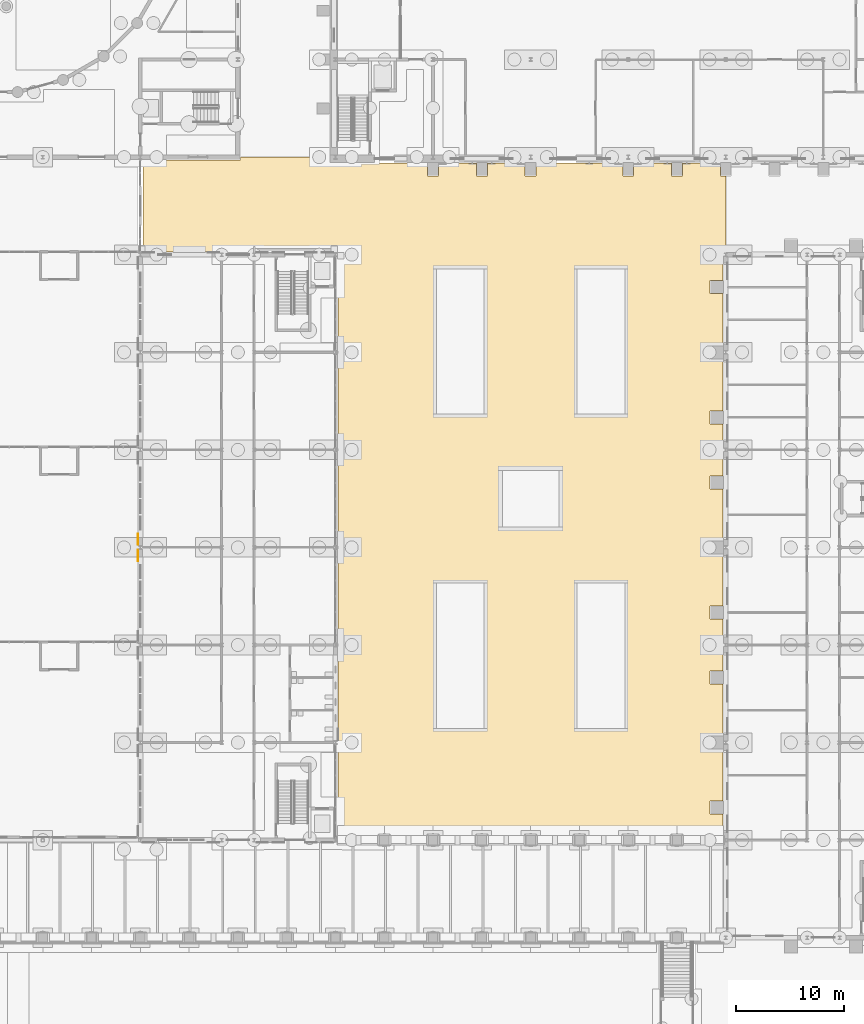
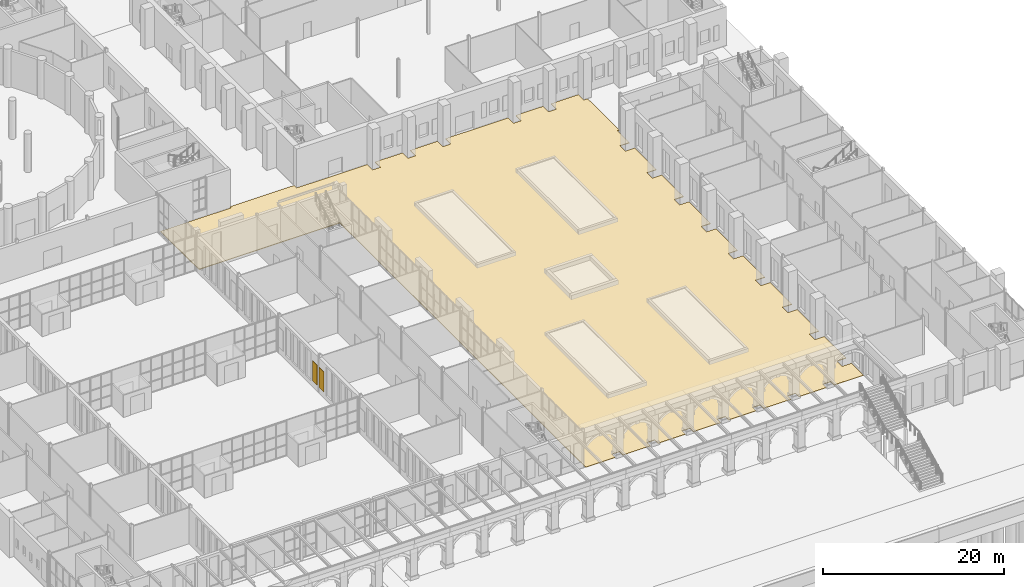
# One storey, part 136 of 168: 3 coverings.
"""IFC4 building model written with IfcOpenShell, lengths in metres."""

from ifc_helpers import new_model, si_unit, direction, frame, origin, place, context, subcontext, project, spatial, polyline, outline, extrude, material, layer, layer_set, type_object, element, save


model = new_model("IFC4")

# Units and contexts
model_context = context("Model", 3, precision=1e-05, world=origin(), true_north=direction((0.0, 1.0)))
body_context = subcontext(model_context, "Body", "Model", "MODEL_VIEW")
ifc_project = project(units=[si_unit("LENGTHUNIT", "METRE"), si_unit("AREAUNIT", "SQUARE_METRE"), si_unit("VOLUMEUNIT", "CUBIC_METRE"), si_unit("PLANEANGLEUNIT", "RADIAN"), si_unit("MASSUNIT", "GRAM", prefix="KILO")], contexts=[model_context])

# Site, building, storey
site_placement = place(None, origin())
site = spatial("IfcSite", under=ifc_project, at=site_placement, CompositionType="ELEMENT")
building_placement = place(site_placement, origin())
building = spatial("IfcBuilding", under=site, at=building_placement, Name="Golden Quay Civic Hall", CompositionType="ELEMENT")
storey_placement = place(building_placement, origin())
storey = spatial("IfcBuildingStorey", under=building, at=storey_placement, Name="L00", CompositionType="ELEMENT", Elevation=0.0)

# Coverings
ifc_material_1 = material(Name="Clay brick paving", Category="masonry")
ifc_layer_1 = layer(ifc_material_1, 0.080078125)
ifc_layer_set_1 = layer_set([ifc_layer_1], Name="Clay brick paving 80")
covering_type_1 = type_object("IfcCoveringType", Name="Clay brick paving 80", PredefinedType="FLOORING", material=ifc_layer_set_1)
covering_1_placement = place(storey_placement, frame((0.0, 0.0, -0.080078125)))
element("IfcCovering", 1, at=covering_1_placement, inside=storey, type_object=covering_type_1, Name="East Court paving", PredefinedType="FLOORING", context=body_context, shape_type="SweptSolid", body=[
    extrude(outline(polyline([(116.5, 63.0), (116.5, 62.449951171875), (125.5, 62.449951171875), (125.5, 61.25), (126.5, 61.25), (126.5, 62.449951171875), (130.0, 62.449951171875), (130.0, 61.25), (131.0, 61.25), (131.0, 62.449951171875), (134.5, 62.449951171875), (134.5, 61.25), (135.5, 61.25), (135.5, 62.449951171875), (143.5, 62.449951171875), (143.5, 61.25), (144.5, 61.25), (144.5, 62.449951171875), (148.0, 62.449951171875), (148.0, 61.25), (149.0, 61.25), (149.0, 62.449951171875), (152.5, 62.449951171875), (152.5, 61.25), (153.0, 61.25), (153.0, 54.25), (152.75, 54.25), (152.75, 53.864990234375), (152.75, 51.60009765625), (151.550048828125, 51.60009765625), (151.550048828125, 50.39990234375), (152.75, 50.39990234375), (152.75, 45.60009765625), (151.550048828125, 45.60009765625), (151.550048828125, 44.39990234375), (152.75, 44.39990234375), (152.75, 39.60009765625), (151.550048828125, 39.60009765625), (151.550048828125, 38.39990234375), (152.75, 38.39990234375), (152.75, 36.135009765625), (152.75, 35.864990234375), (152.75, 33.60009765625), (151.550048828125, 33.60009765625), (151.550048828125, 32.39990234375), (152.75, 32.39990234375), (152.75, 27.60009765625), (151.550048828125, 27.60009765625), (151.550048828125, 26.39990234375), (152.75, 26.39990234375), (152.75, 21.60009765625), (151.550048828125, 21.60009765625), (151.550048828125, 20.39990234375), (152.75, 20.39990234375), (152.75, 18.135009765625), (152.75, 17.864990234375), (152.75, 15.60009765625), (151.550048828125, 15.60009765625), (151.550048828125, 14.39990234375), (152.75, 14.39990234375), (152.75, 9.60009765625), (151.550048828125, 9.60009765625), (151.550048828125, 8.39990234375), (152.75, 8.39990234375), (152.75, 3.60009765625), (151.550048828125, 3.60009765625), (151.550048828125, 2.39990234375), (152.75, 2.39990234375), (152.75, 0.135009765625), (152.75, -0.135009765625), (152.75, -0.25), (149.0, -0.25), (149.0, 0.5), (148.0, 0.5), (148.0, -0.25), (144.5, -0.25), (144.5, 0.5), (143.5, 0.5), (143.5, -0.25), (140.0, -0.25), (140.0, 0.5), (139.0, 0.5), (139.0, -0.25), (135.5, -0.25), (135.5, 0.5), (134.5, 0.5), (134.5, -0.25), (131.0, -0.25), (131.0, 0.5), (130.0, 0.5), (130.0, -0.25), (126.5, -0.25), (126.5, 0.5), (125.5, 0.5), (125.5, -0.25), (122.0, -0.25), (122.0, 0.5), (121.0, 0.5), (121.0, -0.25), (117.25, -0.25), (117.25, 9.14501953125), (117.25, 17.85498046875), (117.25, 54.25), (116.990966796875, 54.25), (109.509033203125, 54.25), (109.490966796875, 54.25), (106.509033203125, 54.25), (106.490966796875, 54.25), (99.25, 54.25), (99.25, 62.75), (103.39990234375, 62.75), (105.199951171875, 62.75), (108.199951171875, 62.75), (108.25, 62.75), (108.25, 63.0), (116.5, 63.0)])), origin(), (0.0, 0.0, 1.0), 0.080078125),
])
ifc_material_2 = material(Name="Terracotta cladding, golden glaze", Category="masonry")
ifc_layer_2 = layer(ifc_material_2, 0.050048828125)
ifc_layer_set_2 = layer_set([ifc_layer_2], Name="Terracotta solid panel 1050 x 2700 x 50")
covering_type_2 = type_object("IfcCoveringType", Name="Terracotta solid panel 1050 x 2700 x 50", PredefinedType="CLADDING", material=ifc_layer_set_2)
covering_2_placement = place(storey_placement, frame((0.0, 0.0, 0.89990234375)))
element("IfcCovering", 2, at=covering_2_placement, inside=storey, type_object=covering_type_2, Name="Terracotta solid panel 1050 x 2700 x 50 L00 53", PredefinedType="CLADDING", context=body_context, shape_type="SweptSolid", body=[
    extrude(outline(polyline([(98.800048828125, 25.72509765625), (98.800048828125, 26.77490234375), (98.75, 26.77490234375), (98.75, 25.72509765625), (98.800048828125, 25.72509765625)])), origin(), (0.0, 0.0, 1.0), 2.7001953125),
])
covering_3_placement = place(storey_placement, frame((0.0, 0.0, 0.89990234375)))
element("IfcCovering", 3, at=covering_3_placement, inside=storey, type_object=covering_type_2, Name="Terracotta solid panel 1050 x 2700 x 50 L00 54", PredefinedType="CLADDING", context=body_context, shape_type="SweptSolid", body=[
    extrude(outline(polyline([(98.800048828125, 27.22509765625), (98.800048828125, 28.27490234375), (98.75, 28.27490234375), (98.75, 27.22509765625), (98.800048828125, 27.22509765625)])), origin(), (0.0, 0.0, 1.0), 2.7001953125),
])

save(model, "model.ifc")
